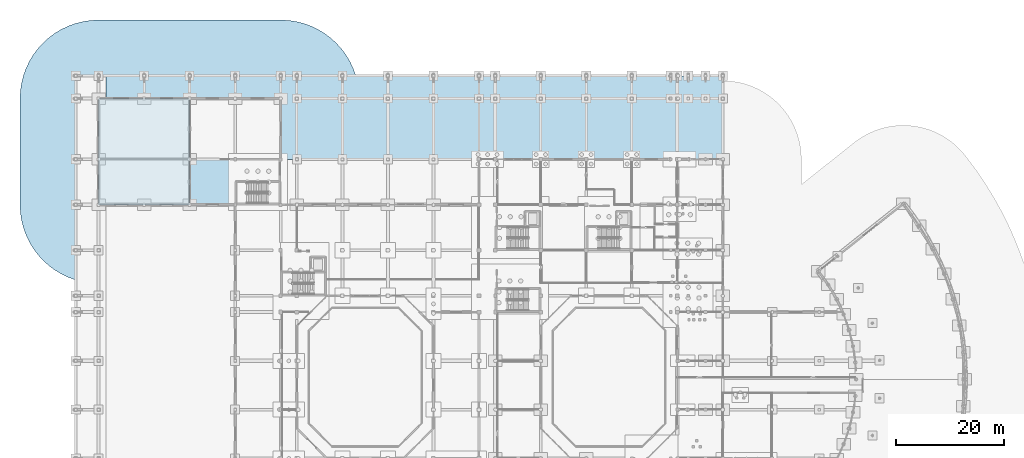
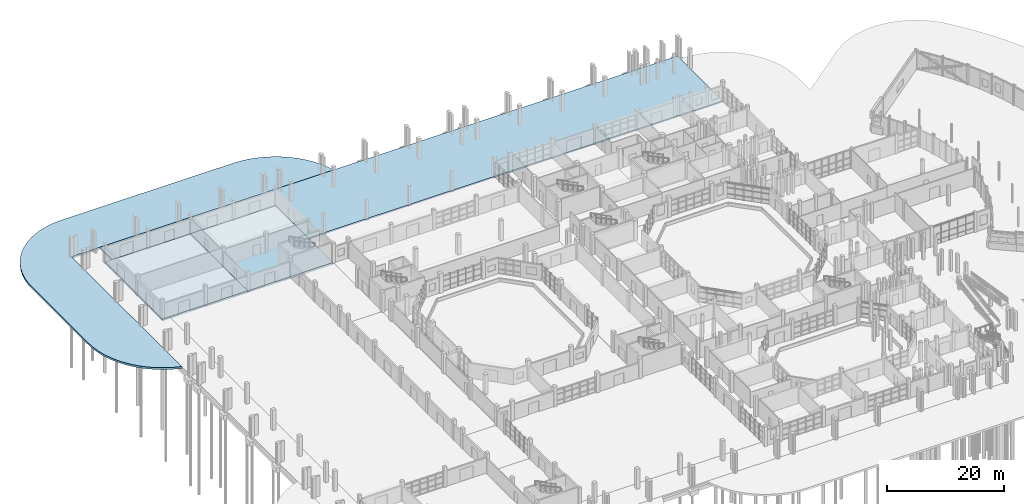
# One storey, part 51 of 88: 4 slabs.
"""IFC4 building model written with IfcOpenShell, lengths in metres."""

from ifc_helpers import new_model, si_unit, direction, frame, origin, place, context, subcontext, project, spatial, polyline, outline, extrude, material, layer, layer_set, type_object, element, save


model = new_model("IFC4")

# Units and contexts
model_context = context("Model", 3, precision=1e-05, world=origin(), true_north=direction((0.0, 1.0)))
body_context = subcontext(model_context, "Body", "Model", "MODEL_VIEW")
ifc_project = project(units=[si_unit("LENGTHUNIT", "METRE"), si_unit("AREAUNIT", "SQUARE_METRE"), si_unit("VOLUMEUNIT", "CUBIC_METRE"), si_unit("PLANEANGLEUNIT", "RADIAN"), si_unit("MASSUNIT", "GRAM", prefix="KILO")], contexts=[model_context])

# Site, building, storey
site_placement = place(None, origin())
site = spatial("IfcSite", under=ifc_project, at=site_placement, CompositionType="ELEMENT")
building_placement = place(site_placement, origin())
building = spatial("IfcBuilding", under=site, at=building_placement, Name="Vanh Quang Courtyard School", CompositionType="ELEMENT")
storey_placement = place(building_placement, origin())
storey = spatial("IfcBuildingStorey", under=building, at=storey_placement, Name="L00", CompositionType="ELEMENT", Elevation=0.0)

# Slabs
ifc_material_1 = material(Name="Concrete C30/37", Category="concrete")
ifc_layer_1 = layer(ifc_material_1, 0.39990234375)
ifc_layer_set_1 = layer_set([ifc_layer_1], Name="Concrete C30/37")
slab_type_1 = type_object("IfcSlabType", Name="SLB-APRON-400", PredefinedType="BASESLAB", material=ifc_layer_set_1)
slab_1_placement = place(storey_placement, frame((0.0, 0.0, -0.39990234375)))
element("IfcSlab", 1, at=slab_1_placement, inside=storey, type_object=slab_type_1, Name="Slab APR-01 (L00)", PredefinedType="BASESLAB", context=body_context, shape_type="SweptSolid", body=[
    extrude(outline(polyline([(0.0, 112.0), (51.677978515625, 112.0), (51.1962890625, 113.348876953125), (50.587890625, 114.63525390625), (49.856201171875, 115.855712890625), (49.0087890625, 116.998779296875), (48.052978515625, 118.052978515625), (46.998779296875, 119.0087890625), (45.855712890625, 119.856201171875), (44.63525390625, 120.587890625), (43.348876953125, 121.1962890625), (42.009033203125, 121.675537109375), (40.62890625, 122.021484375), (39.22119140625, 122.230224609375), (37.800048828125, 122.300048828125), (4.199951171875, 122.300048828125), (2.77880859375, 122.230224609375), (1.37109375, 122.021484375), (-0.009033203125, 121.675537109375), (-1.348876953125, 121.1962890625), (-2.63525390625, 120.587890625), (-3.855712890625, 119.856201171875), (-4.998779296875, 119.0087890625), (-6.052978515625, 118.052978515625), (-7.0087890625, 116.998779296875), (-7.856201171875, 115.855712890625), (-8.587890625, 114.63525390625), (-9.1962890625, 113.348876953125), (-9.675537109375, 112.009033203125), (-10.021484375, 110.62890625), (-10.230224609375, 109.22119140625), (-10.300048828125, 107.800048828125), (-10.300048828125, 88.199951171875), (-10.230224609375, 86.77880859375), (-10.021484375, 85.37109375), (-9.675537109375, 83.990966796875), (-9.1962890625, 82.651123046875), (-8.587890625, 81.36474609375), (-7.856201171875, 80.144287109375), (-7.0087890625, 79.001220703125), (-6.052978515625, 77.947021484375), (-4.998779296875, 76.9912109375), (-3.855712890625, 76.143798828125), (-2.63525390625, 75.412109375), (-1.348876953125, 74.8037109375), (0.0, 74.322021484375), (0.0, 112.0)])), origin(), (0.0, 0.0, 1.0), 0.39990234375),
])
ifc_layer_2 = layer(ifc_material_1, 0.39990234375)
ifc_layer_set_2 = layer_set([ifc_layer_2], Name="Concrete C30/37")
slab_type_2 = type_object("IfcSlabType", Name="SLB-BASE-400", PredefinedType="BASESLAB", material=ifc_layer_set_2)
slab_2_placement = place(storey_placement, frame((0.0, 0.0, -0.39990234375)))
element("IfcSlab", 2, at=slab_2_placement, inside=storey, type_object=slab_type_2, Name="Slab BSL-01 (L00)", PredefinedType="BASESLAB", context=body_context, shape_type="SweptSolid", body=[
    extrude(outline(polyline([(21.0, 88.199951171875), (21.0, 107.800048828125), (4.199951171875, 107.800048828125), (4.199951171875, 88.199951171875), (21.0, 88.199951171875)])), origin(), (0.0, 0.0, 1.0), 0.39990234375),
])
slab_3_placement = place(storey_placement, frame((0.0, 0.0, -0.39990234375)))
element("IfcSlab", 3, at=slab_3_placement, inside=storey, type_object=slab_type_2, Name="Slab BSL-01 (L00)", PredefinedType="BASESLAB", context=body_context, shape_type="SweptSolid", body=[
    extrude(outline(polyline([(37.800048828125, 88.199951171875), (37.800048828125, 107.800048828125), (21.0, 107.800048828125), (21.0, 88.199951171875), (37.800048828125, 88.199951171875)])), origin(), (0.0, 0.0, 1.0), 0.39990234375),
])
ifc_material_2 = material(Name="Concrete C35/45", Category="concrete")
ifc_layer_3 = layer(ifc_material_2, 0.280029296875)
ifc_layer_set_3 = layer_set([ifc_layer_3], Name="Concrete C35/45")
slab_type_3 = type_object("IfcSlabType", Name="SLB-COL-280", PredefinedType="FLOOR", material=ifc_layer_set_3)
slab_4_placement = place(storey_placement, frame((0.0, 0.0, -0.280029296875)))
element("IfcSlab", 4, at=slab_4_placement, inside=storey, type_object=slab_type_3, Name="Slab SC-01 (L00)", PredefinedType="FLOOR", context=body_context, shape_type="SweptSolid", body=[
    extrude(outline(polyline([(5.60009765625, 112.0), (5.60009765625, 107.800048828125), (37.800048828125, 107.800048828125), (37.800048828125, 96.60009765625), (119.39990234375, 96.60009765625), (119.39990234375, 112.0), (5.60009765625, 112.0)])), origin(), (0.0, 0.0, 1.0), 0.280029296875),
])

save(model, "model.ifc")
